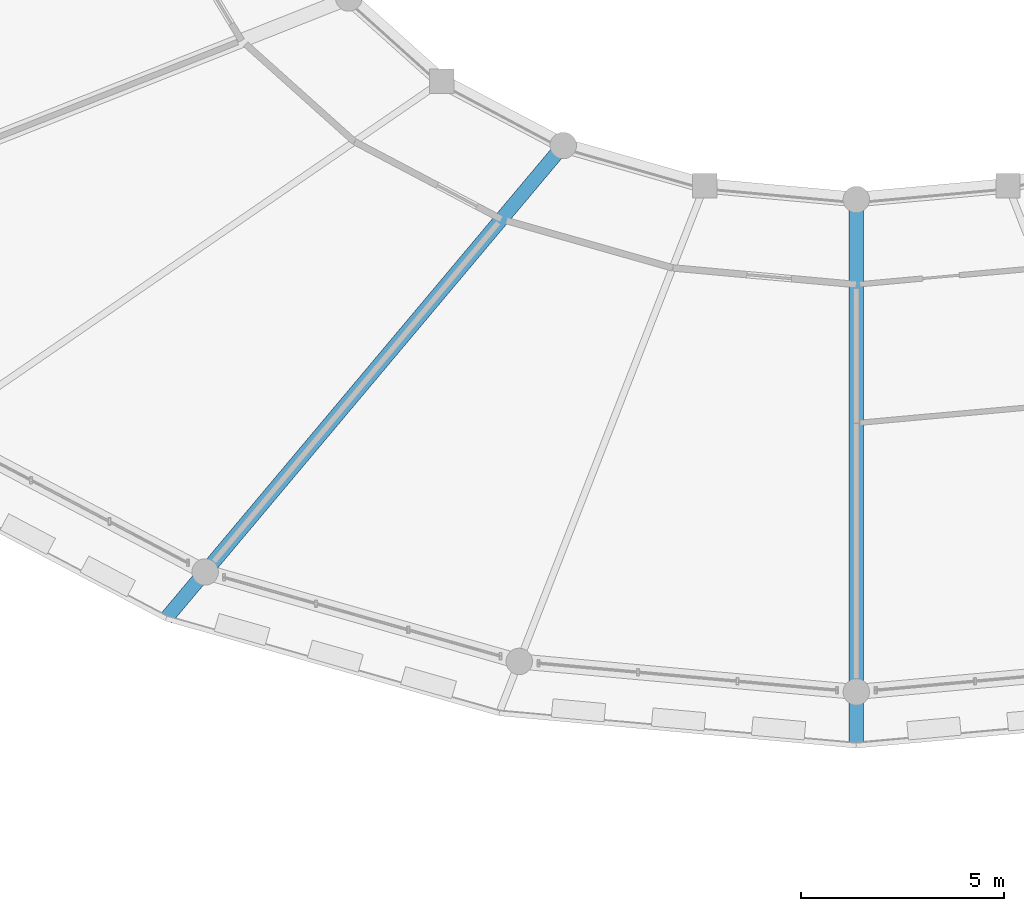
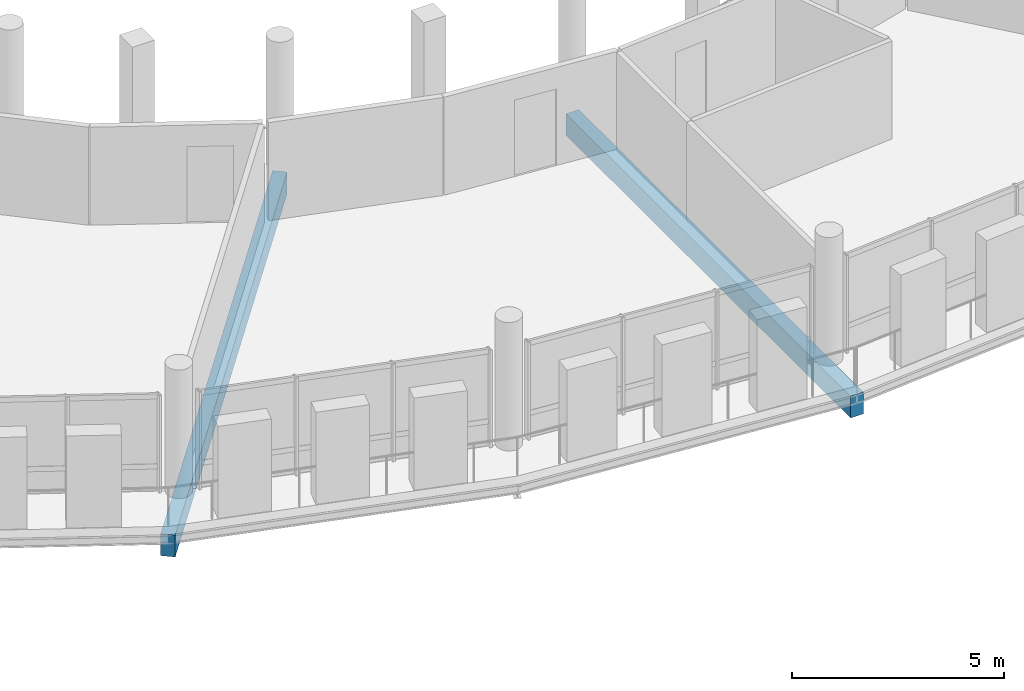
# One storey, part 28 of 84: 2 beams.
"""IFC4 building model written with IfcOpenShell, lengths in metres."""

from ifc_helpers import new_model, si_unit, direction, frame, origin, origin_2d, place, context, subcontext, project, spatial, rectangle, extrude, material, material_profile, profile_set, type_object, element, save


model = new_model("IFC4")

# Units and contexts
model_context = context("Model", 3, precision=1e-05, world=origin(), true_north=direction((0.0, 1.0)))
body_context = subcontext(model_context, "Body", "Model", "MODEL_VIEW")
ifc_project = project(units=[si_unit("LENGTHUNIT", "METRE"), si_unit("AREAUNIT", "SQUARE_METRE"), si_unit("VOLUMEUNIT", "CUBIC_METRE"), si_unit("PLANEANGLEUNIT", "RADIAN"), si_unit("MASSUNIT", "GRAM", prefix="KILO")], contexts=[model_context])

# Site, building, storey
site_placement = place(None, origin())
site = spatial("IfcSite", under=ifc_project, at=site_placement, CompositionType="ELEMENT")
building_placement = place(site_placement, origin())
building = spatial("IfcBuilding", under=site, at=building_placement, Name="Zornivar Specialist Clinic", CompositionType="ELEMENT")
storey_placement = place(building_placement, frame((0.0, 0.0, 12.300048828125)))
storey = spatial("IfcBuildingStorey", under=building, at=storey_placement, Name="L03", CompositionType="ELEMENT", Elevation=12.300048828125)

# Beams
ifc_material = material(Name="Concrete C30/37", Category="concrete")
ifc_material_profile = material_profile(ifc_material, rectangle(XDim=0.35009765625, YDim=0.6201171875, at=origin_2d()), Name="RC 350x620")
ifc_profile_set = profile_set([ifc_material_profile], Name="Concrete C30/37")
beam_type = type_object("IfcBeamType", Name="BM-RC-CANT-350x620", PredefinedType="BEAM", material=ifc_profile_set)
beam_1_placement = place(storey_placement, frame((86.39990234375, 49.02587890625, -0.550048828125), z_axis=(-0.643102291661, -0.765780283411, 0.0), x_axis=(0.765780283411, -0.643102291661, 0.0)))
element("IfcBeam", 1, at=beam_1_placement, inside=storey, type_object=beam_type, Name="bm:V1:L03:radcant:16", PredefinedType="BEAM", context=body_context, shape_type="SweptSolid", body=[
    extrude(rectangle(XDim=0.35009765625, YDim=0.6201171875, at=origin_2d()), origin(), (0.0, 0.0, 1.0), 15.176513671875),
])
beam_2_placement = place(storey_placement, frame((93.60009765625, 47.699951171875, -0.550048828125), z_axis=(0.0, -1.0, 0.0), x_axis=(1.0, 0.0, 0.0)))
element("IfcBeam", 2, at=beam_2_placement, inside=storey, type_object=beam_type, Name="bm:V1:L03:radcant:18", PredefinedType="BEAM", context=body_context, shape_type="SweptSolid", body=[
    extrude(rectangle(XDim=0.35009765625, YDim=0.6201171875, at=origin_2d()), origin(), (0.0, 0.0, 1.0), 13.419921875),
])

save(model, "model.ifc")
